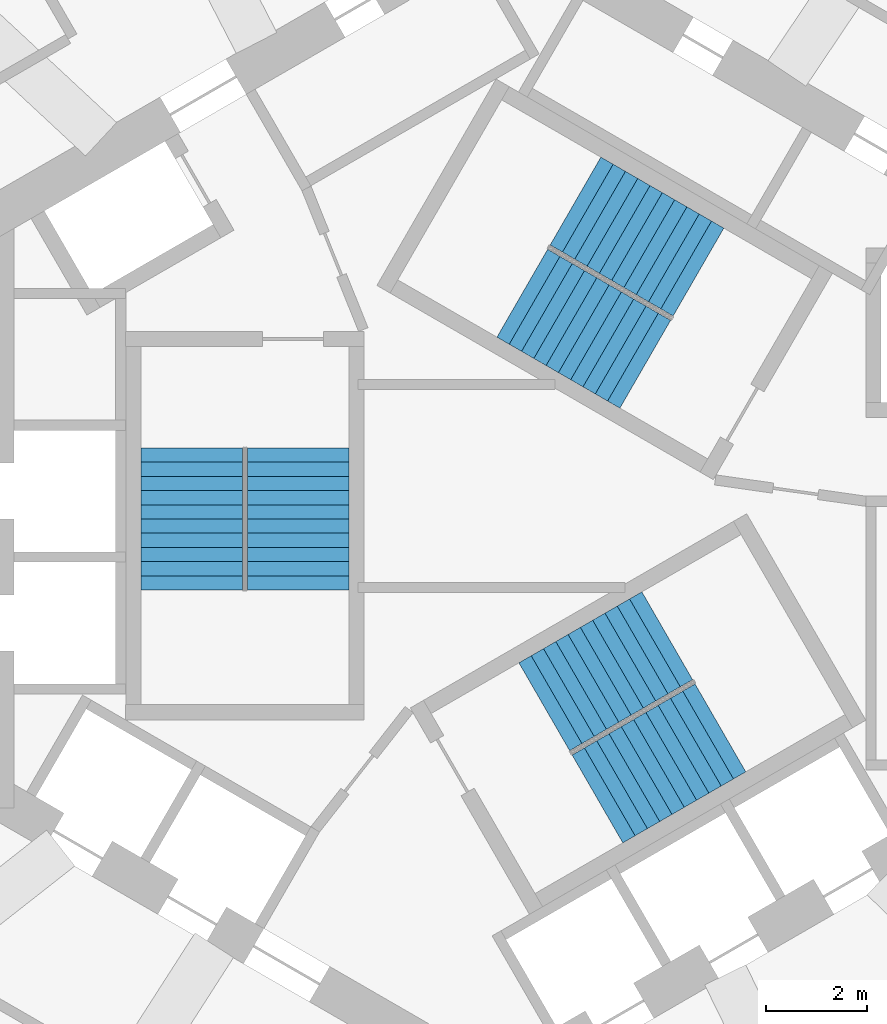
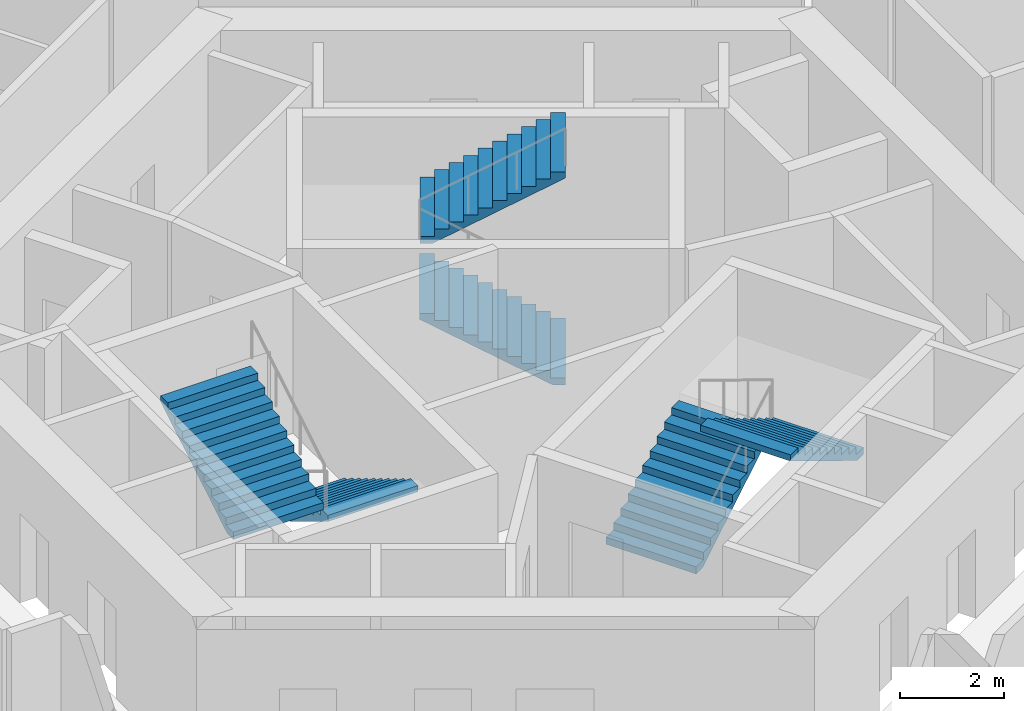
# One storey, part 9 of 11: 6 stair flights, 3 elements without a shape of their own.
"""IFC4 building model written with IfcOpenShell, lengths in metres."""

from ifc_helpers import new_model, si_unit, direction, frame, origin, place, context, subcontext, project, spatial, triangles, source, transform, mapped, material, type_object, element, aggregate, save


model = new_model("IFC4")

# Units and contexts
model_context = context("Model", 3, precision=1e-05, world=origin(), true_north=direction((0.0, 1.0)))
body_context = subcontext(model_context, "Body", "Model", "MODEL_VIEW")
ifc_project = project(units=[si_unit("LENGTHUNIT", "METRE"), si_unit("AREAUNIT", "SQUARE_METRE"), si_unit("VOLUMEUNIT", "CUBIC_METRE"), si_unit("PLANEANGLEUNIT", "RADIAN"), si_unit("MASSUNIT", "GRAM", prefix="KILO")], contexts=[model_context])

# Site, building, storey
site_placement = place(None, origin())
site = spatial("IfcSite", under=ifc_project, at=site_placement, CompositionType="ELEMENT")
building_placement = place(site_placement, origin())
building = spatial("IfcBuilding", under=site, at=building_placement, Name="Vanh Sen Convention Tower", CompositionType="ELEMENT")
storey_placement = place(building_placement, frame((0.0, 0.0, 240.199951171875)))
storey = spatial("IfcBuildingStorey", under=building, at=storey_placement, Name="L59", CompositionType="ELEMENT", Elevation=240.199951171875)

# Stair, stair flights
ifc_material_1 = material(Name="Concrete C50/60", Category="concrete")
stair_type_1 = type_object("IfcStairType", Name="Exit stair ST1 22 risers at 168.2", PredefinedType="HALF_TURN_STAIR", material=ifc_material_1)
stair_1_placement = place(storey_placement, origin())
stair_1 = element("IfcStair", 1, at=stair_1_placement, inside=storey, type_object=stair_type_1, Name="Exit stair ST1 L59", PredefinedType="HALF_TURN_STAIR")
ifc_material_2 = material(Name="Concrete C40/50", Category="concrete")
stair_flight_type = type_object("IfcStairFlightType", Name="Stair flight 2000", PredefinedType="STRAIGHT", material=ifc_material_2)
shared_shape = source(origin(), body_context, "Body", "Tessellation", [
    triangles([(0.24267578125, 1.0, 0.0), (0.0, 1.0, 0.0), (0.0, 1.0, 0.168212890625), (0.280029296875, 1.0, 0.168212890625), (0.280029296875, 1.0, 0.33642578125), (0.56005859375, 1.0, 0.33642578125), (0.56005859375, 1.0, 0.504638671875), (0.840087890625, 1.0, 0.504638671875), (0.840087890625, 1.0, 0.672607421875), (1.1201171875, 1.0, 0.672607421875), (1.1201171875, 1.0, 0.8408203125), (1.39990234375, 1.0, 0.8408203125), (1.39990234375, 1.0, 1.009033203125), (1.679931640625, 1.0, 1.009033203125), (1.679931640625, 1.0, 1.17724609375), (1.9599609375, 1.0, 1.17724609375), (1.9599609375, 1.0, 1.345458984375), (2.239990234375, 1.0, 1.345458984375), (2.239990234375, 1.0, 1.513671875), (2.52001953125, 1.0, 1.513671875), (2.52001953125, 1.0, 1.681884765625), (2.800048828125, 1.0, 1.681884765625), (2.800048828125, 1.0, 1.535888671875), (0.24267578125, -1.0, 0.0), (0.0, -1.0, 0.0), (0.0, -1.0, 0.168212890625), (0.280029296875, -1.0, 0.168212890625), (0.280029296875, -1.0, 0.33642578125), (0.56005859375, -1.0, 0.33642578125), (0.56005859375, -1.0, 0.504638671875), (0.840087890625, -1.0, 0.504638671875), (0.840087890625, -1.0, 0.672607421875), (1.1201171875, -1.0, 0.672607421875), (1.1201171875, -1.0, 0.8408203125), (1.39990234375, -1.0, 0.8408203125), (1.39990234375, -1.0, 1.009033203125), (1.679931640625, -1.0, 1.009033203125), (1.679931640625, -1.0, 1.17724609375), (1.9599609375, -1.0, 1.17724609375), (1.9599609375, -1.0, 1.345458984375), (2.239990234375, -1.0, 1.345458984375), (2.239990234375, -1.0, 1.513671875), (2.52001953125, -1.0, 1.513671875), (2.52001953125, -1.0, 1.681884765625), (2.800048828125, -1.0, 1.681884765625), (2.800048828125, -1.0, 1.535888671875), (0.0, 0.0400390625, 0.0), (0.0, 0.0390625, 0.0), (0.0, 0.0380859375, 0.0), (0.0, 0.037109375, 0.0), (0.0, 0.035888671875, 0.0), (0.0, 0.034912109375, 0.0), (0.0, 0.033935546875, 0.0), (0.0, 0.032958984375, 0.0), (0.0, 0.031982421875, 0.0), (0.0, 0.031005859375, 0.0), (0.0, 0.030029296875, 0.0), (0.0, 0.029052734375, 0.0), (0.0, 0.028076171875, 0.0), (0.0, 0.027099609375, 0.0), (0.0, 0.02587890625, 0.0), (0.0, 0.02490234375, 0.0), (0.0, 0.02392578125, 0.0), (0.0, 0.02294921875, 0.0), (0.0, 0.02197265625, 0.0), (0.0, 0.02099609375, 0.0), (0.0, 0.02001953125, 0.0), (0.0, 0.01904296875, 0.0), (0.0, 0.01806640625, 0.0), (0.0, 0.01708984375, 0.0), (0.0, 0.01611328125, 0.0), (0.0, 0.014892578125, 0.0), (0.0, 0.013916015625, 0.0), (0.0, 0.012939453125, 0.0), (0.0, 0.011962890625, 0.0), (0.0, 0.010986328125, 0.0), (0.0, 0.010009765625, 0.0), (0.0, 0.009033203125, 0.0), (0.0, 0.008056640625, 0.0), (0.0, 0.007080078125, 0.0), (0.0, 0.006103515625, 0.0), (0.0, 0.0048828125, 0.0), (0.0, 0.00390625, 0.0), (0.0, 0.0029296875, 0.0), (0.0, 0.001953125, 0.0), (0.0, 0.0009765625, 0.0), (0.0, 0.0, 0.0), (0.0, -0.0009765625, 0.0), (0.0, -0.001953125, 0.0), (0.0, -0.0029296875, 0.0), (0.0, -0.00390625, 0.0), (0.0, -0.0048828125, 0.0), (0.0, -0.006103515625, 0.0), (0.0, -0.007080078125, 0.0), (0.0, -0.008056640625, 0.0), (0.0, -0.009033203125, 0.0), (0.0, -0.010009765625, 0.0), (0.0, -0.010986328125, 0.0), (0.0, -0.011962890625, 0.0), (0.0, -0.012939453125, 0.0), (0.0, -0.013916015625, 0.0), (0.0, -0.014892578125, 0.0), (0.0, -0.01611328125, 0.0), (0.0, -0.01708984375, 0.0), (0.0, -0.01806640625, 0.0), (0.0, -0.01904296875, 0.0), (0.0, -0.02001953125, 0.0), (0.0, -0.02099609375, 0.0), (0.0, -0.02197265625, 0.0), (0.0, -0.02294921875, 0.0), (0.0, -0.02392578125, 0.0), (0.0, -0.02490234375, 0.0), (0.0, -0.02587890625, 0.0), (0.0, -0.027099609375, 0.0), (0.0, -0.028076171875, 0.0), (0.0, -0.029052734375, 0.0), (0.0, -0.030029296875, 0.0), (0.0, -0.031005859375, 0.0), (0.0, -0.031982421875, 0.0), (0.0, -0.032958984375, 0.0), (0.0, -0.033935546875, 0.0), (0.0, -0.034912109375, 0.0), (0.0, -0.035888671875, 0.0), (0.0, -0.037109375, 0.0), (0.0, -0.0380859375, 0.0), (0.0, -0.0390625, 0.0), (0.0, -0.0400390625, 0.0), (0.0, 0.0400390625, 0.168212890625), (0.0, 0.0390625, 0.168212890625), (0.0, 0.0380859375, 0.168212890625), (0.0, 0.037109375, 0.168212890625), (0.0, 0.035888671875, 0.168212890625), (0.0, 0.034912109375, 0.168212890625), (0.0, 0.033935546875, 0.168212890625), (0.0, 0.032958984375, 0.168212890625), (0.0, 0.031982421875, 0.168212890625), (0.0, 0.031005859375, 0.168212890625), (0.0, 0.030029296875, 0.168212890625), (0.0, 0.029052734375, 0.168212890625), (0.0, 0.028076171875, 0.168212890625), (0.0, 0.027099609375, 0.168212890625), (0.0, 0.02587890625, 0.168212890625), (0.0, 0.02490234375, 0.168212890625), (0.0, 0.02392578125, 0.168212890625), (0.0, 0.02294921875, 0.168212890625), (0.0, 0.02197265625, 0.168212890625), (0.0, 0.02099609375, 0.168212890625), (0.0, 0.02001953125, 0.168212890625), (0.0, 0.01904296875, 0.168212890625), (0.0, 0.01806640625, 0.168212890625), (0.0, 0.01708984375, 0.168212890625), (0.0, 0.01611328125, 0.168212890625), (0.0, 0.014892578125, 0.168212890625), (0.0, 0.013916015625, 0.168212890625), (0.0, 0.012939453125, 0.168212890625), (0.0, 0.011962890625, 0.168212890625), (0.0, 0.010986328125, 0.168212890625), (0.0, 0.010009765625, 0.168212890625), (0.0, 0.009033203125, 0.168212890625), (0.0, 0.008056640625, 0.168212890625), (0.0, 0.007080078125, 0.168212890625), (0.0, 0.006103515625, 0.168212890625), (0.0, 0.0048828125, 0.168212890625), (0.0, 0.00390625, 0.168212890625), (0.0, 0.0029296875, 0.168212890625), (0.0, 0.001953125, 0.168212890625), (0.0, 0.0009765625, 0.168212890625), (0.0, 0.0, 0.168212890625), (0.0, -0.0009765625, 0.168212890625), (0.0, -0.001953125, 0.168212890625), (0.0, -0.0029296875, 0.168212890625), (0.0, -0.00390625, 0.168212890625), (0.0, -0.0048828125, 0.168212890625), (0.0, -0.006103515625, 0.168212890625), (0.0, -0.007080078125, 0.168212890625), (0.0, -0.008056640625, 0.168212890625), (0.0, -0.009033203125, 0.168212890625), (0.0, -0.010009765625, 0.168212890625), (0.0, -0.010986328125, 0.168212890625), (0.0, -0.011962890625, 0.168212890625), (0.0, -0.012939453125, 0.168212890625), (0.0, -0.013916015625, 0.168212890625), (0.0, -0.014892578125, 0.168212890625), (0.0, -0.01611328125, 0.168212890625), (0.0, -0.01708984375, 0.168212890625), (0.0, -0.01806640625, 0.168212890625), (0.0, -0.01904296875, 0.168212890625), (0.0, -0.02001953125, 0.168212890625), (0.0, -0.02099609375, 0.168212890625), (0.0, -0.02197265625, 0.168212890625), (0.0, -0.02294921875, 0.168212890625), (0.0, -0.02392578125, 0.168212890625), (0.0, -0.02490234375, 0.168212890625), (0.0, -0.02587890625, 0.168212890625), (0.0, -0.027099609375, 0.168212890625), (0.0, -0.028076171875, 0.168212890625), (0.0, -0.029052734375, 0.168212890625), (0.0, -0.030029296875, 0.168212890625), (0.0, -0.031005859375, 0.168212890625), (0.0, -0.031982421875, 0.168212890625), (0.0, -0.032958984375, 0.168212890625), (0.0, -0.033935546875, 0.168212890625), (0.0, -0.034912109375, 0.168212890625), (0.0, -0.035888671875, 0.168212890625), (0.0, -0.037109375, 0.168212890625), (0.0, -0.0380859375, 0.168212890625), (0.0, -0.0390625, 0.168212890625), (0.0, -0.0400390625, 0.168212890625), (0.280029296875, 0.0, 0.168212890625), (0.280029296875, 0.0, 0.33642578125), (0.56005859375, 0.0, 0.33642578125), (0.56005859375, 0.0, 0.504638671875), (0.840087890625, 0.0, 0.504638671875), (0.840087890625, 0.0, 0.672607421875), (1.1201171875, 0.0, 0.672607421875), (1.1201171875, 0.0, 0.8408203125), (1.39990234375, 0.0, 0.8408203125), (1.39990234375, 0.0, 1.009033203125), (1.679931640625, 0.0, 1.009033203125), (1.679931640625, 0.0, 1.17724609375), (1.9599609375, 0.0, 1.17724609375), (1.9599609375, 0.0, 1.345458984375), (2.239990234375, 0.0, 1.345458984375), (2.239990234375, 0.0, 1.513671875), (2.52001953125, 0.0, 1.513671875), (2.52001953125, 0.0, 1.681884765625), (2.800048828125, 0.0400390625, 1.681884765625), (2.800048828125, 0.0390625, 1.681884765625), (2.800048828125, 0.0380859375, 1.681884765625), (2.800048828125, 0.037109375, 1.681884765625), (2.800048828125, 0.035888671875, 1.681884765625), (2.800048828125, 0.034912109375, 1.681884765625), (2.800048828125, 0.033935546875, 1.681884765625), (2.800048828125, 0.032958984375, 1.681884765625), (2.800048828125, 0.031982421875, 1.681884765625), (2.800048828125, 0.031005859375, 1.681884765625), (2.800048828125, 0.030029296875, 1.681884765625), (2.800048828125, 0.029052734375, 1.681884765625), (2.800048828125, 0.028076171875, 1.681884765625), (2.800048828125, 0.027099609375, 1.681884765625), (2.800048828125, 0.02587890625, 1.681884765625), (2.800048828125, 0.02490234375, 1.681884765625), (2.800048828125, 0.02392578125, 1.681884765625), (2.800048828125, 0.02294921875, 1.681884765625), (2.800048828125, 0.02197265625, 1.681884765625), (2.800048828125, 0.02099609375, 1.681884765625), (2.800048828125, 0.02001953125, 1.681884765625), (2.800048828125, 0.01904296875, 1.681884765625), (2.800048828125, 0.01806640625, 1.681884765625), (2.800048828125, 0.01708984375, 1.681884765625), (2.800048828125, 0.01611328125, 1.681884765625), (2.800048828125, 0.014892578125, 1.681884765625), (2.800048828125, 0.013916015625, 1.681884765625), (2.800048828125, 0.012939453125, 1.681884765625), (2.800048828125, 0.011962890625, 1.681884765625), (2.800048828125, 0.010986328125, 1.681884765625), (2.800048828125, 0.010009765625, 1.681884765625), (2.800048828125, 0.009033203125, 1.681884765625), (2.800048828125, 0.008056640625, 1.681884765625), (2.800048828125, 0.007080078125, 1.681884765625), (2.800048828125, 0.006103515625, 1.681884765625), (2.800048828125, 0.0048828125, 1.681884765625), (2.800048828125, 0.00390625, 1.681884765625), (2.800048828125, 0.0029296875, 1.681884765625), (2.800048828125, 0.001953125, 1.681884765625), (2.800048828125, 0.0009765625, 1.681884765625), (2.800048828125, 0.0, 1.681884765625), (2.800048828125, -0.0009765625, 1.681884765625), (2.800048828125, -0.001953125, 1.681884765625), (2.800048828125, -0.0029296875, 1.681884765625), (2.800048828125, -0.00390625, 1.681884765625), (2.800048828125, -0.0048828125, 1.681884765625), (2.800048828125, -0.006103515625, 1.681884765625), (2.800048828125, -0.007080078125, 1.681884765625), (2.800048828125, -0.008056640625, 1.681884765625), (2.800048828125, -0.009033203125, 1.681884765625), (2.800048828125, -0.010009765625, 1.681884765625), (2.800048828125, -0.010986328125, 1.681884765625), (2.800048828125, -0.011962890625, 1.681884765625), (2.800048828125, -0.012939453125, 1.681884765625), (2.800048828125, -0.013916015625, 1.681884765625), (2.800048828125, -0.014892578125, 1.681884765625), (2.800048828125, -0.01611328125, 1.681884765625), (2.800048828125, -0.01708984375, 1.681884765625), (2.800048828125, -0.01806640625, 1.681884765625), (2.800048828125, -0.01904296875, 1.681884765625), (2.800048828125, -0.02001953125, 1.681884765625), (2.800048828125, -0.02099609375, 1.681884765625), (2.800048828125, -0.02197265625, 1.681884765625), (2.800048828125, -0.02294921875, 1.681884765625), (2.800048828125, -0.02392578125, 1.681884765625), (2.800048828125, -0.02490234375, 1.681884765625), (2.800048828125, -0.02587890625, 1.681884765625), (2.800048828125, -0.027099609375, 1.681884765625), (2.800048828125, -0.028076171875, 1.681884765625), (2.800048828125, -0.029052734375, 1.681884765625), (2.800048828125, -0.030029296875, 1.681884765625), (2.800048828125, -0.031005859375, 1.681884765625), (2.800048828125, -0.031982421875, 1.681884765625), (2.800048828125, -0.032958984375, 1.681884765625), (2.800048828125, -0.033935546875, 1.681884765625), (2.800048828125, -0.034912109375, 1.681884765625), (2.800048828125, -0.035888671875, 1.681884765625), (2.800048828125, -0.037109375, 1.681884765625), (2.800048828125, -0.0380859375, 1.681884765625), (2.800048828125, -0.0390625, 1.681884765625), (2.800048828125, -0.0400390625, 1.681884765625), (2.800048828125, 0.0400390625, 1.535888671875), (2.800048828125, 0.0390625, 1.535888671875), (2.800048828125, 0.0380859375, 1.535888671875), (2.800048828125, 0.037109375, 1.535888671875), (2.800048828125, 0.035888671875, 1.535888671875), (2.800048828125, 0.034912109375, 1.535888671875), (2.800048828125, 0.033935546875, 1.535888671875), (2.800048828125, 0.032958984375, 1.535888671875), (2.800048828125, 0.031982421875, 1.535888671875), (2.800048828125, 0.031005859375, 1.535888671875), (2.800048828125, 0.030029296875, 1.535888671875), (2.800048828125, 0.029052734375, 1.535888671875), (2.800048828125, 0.028076171875, 1.535888671875), (2.800048828125, 0.027099609375, 1.535888671875), (2.800048828125, 0.02587890625, 1.535888671875), (2.800048828125, 0.02490234375, 1.535888671875), (2.800048828125, 0.02392578125, 1.535888671875), (2.800048828125, 0.02294921875, 1.535888671875), (2.800048828125, 0.02197265625, 1.535888671875), (2.800048828125, 0.02099609375, 1.535888671875), (2.800048828125, 0.02001953125, 1.535888671875), (2.800048828125, 0.01904296875, 1.535888671875), (2.800048828125, 0.01806640625, 1.535888671875), (2.800048828125, 0.01708984375, 1.535888671875), (2.800048828125, 0.01611328125, 1.535888671875), (2.800048828125, 0.014892578125, 1.535888671875), (2.800048828125, 0.013916015625, 1.535888671875), (2.800048828125, 0.012939453125, 1.535888671875), (2.800048828125, 0.011962890625, 1.535888671875), (2.800048828125, 0.010986328125, 1.535888671875), (2.800048828125, 0.010009765625, 1.535888671875), (2.800048828125, 0.009033203125, 1.535888671875), (2.800048828125, 0.008056640625, 1.535888671875), (2.800048828125, 0.007080078125, 1.535888671875), (2.800048828125, 0.006103515625, 1.535888671875), (2.800048828125, 0.0048828125, 1.535888671875), (2.800048828125, 0.00390625, 1.535888671875), (2.800048828125, 0.0029296875, 1.535888671875), (2.800048828125, 0.001953125, 1.535888671875), (2.800048828125, 0.0009765625, 1.535888671875), (2.800048828125, 0.0, 1.535888671875), (2.800048828125, -0.0009765625, 1.535888671875), (2.800048828125, -0.001953125, 1.535888671875), (2.800048828125, -0.0029296875, 1.535888671875), (2.800048828125, -0.00390625, 1.535888671875), (2.800048828125, -0.0048828125, 1.535888671875), (2.800048828125, -0.006103515625, 1.535888671875), (2.800048828125, -0.007080078125, 1.535888671875), (2.800048828125, -0.008056640625, 1.535888671875), (2.800048828125, -0.009033203125, 1.535888671875), (2.800048828125, -0.010009765625, 1.535888671875), (2.800048828125, -0.010986328125, 1.535888671875), (2.800048828125, -0.011962890625, 1.535888671875), (2.800048828125, -0.012939453125, 1.535888671875), (2.800048828125, -0.013916015625, 1.535888671875), (2.800048828125, -0.014892578125, 1.535888671875), (2.800048828125, -0.01611328125, 1.535888671875), (2.800048828125, -0.01708984375, 1.535888671875), (2.800048828125, -0.01806640625, 1.535888671875), (2.800048828125, -0.01904296875, 1.535888671875), (2.800048828125, -0.02001953125, 1.535888671875), (2.800048828125, -0.02099609375, 1.535888671875), (2.800048828125, -0.02197265625, 1.535888671875), (2.800048828125, -0.02294921875, 1.535888671875), (2.800048828125, -0.02392578125, 1.535888671875), (2.800048828125, -0.02490234375, 1.535888671875), (2.800048828125, -0.02587890625, 1.535888671875), (2.800048828125, -0.027099609375, 1.535888671875), (2.800048828125, -0.028076171875, 1.535888671875), (2.800048828125, -0.029052734375, 1.535888671875), (2.800048828125, -0.030029296875, 1.535888671875), (2.800048828125, -0.031005859375, 1.535888671875), (2.800048828125, -0.031982421875, 1.535888671875), (2.800048828125, -0.032958984375, 1.535888671875), (2.800048828125, -0.033935546875, 1.535888671875), (2.800048828125, -0.034912109375, 1.535888671875), (2.800048828125, -0.035888671875, 1.535888671875), (2.800048828125, -0.037109375, 1.535888671875), (2.800048828125, -0.0380859375, 1.535888671875), (2.800048828125, -0.0390625, 1.535888671875), (2.800048828125, -0.0400390625, 1.535888671875), (0.24267578125, 0.0, 0.0)], [[1, 2, 3], [1, 3, 4], [4, 5, 6], [1, 4, 6], [6, 7, 8], [1, 6, 8], [8, 9, 10], [1, 8, 10], [10, 11, 12], [1, 10, 12], [12, 13, 14], [1, 12, 14], [14, 15, 16], [1, 14, 16], [16, 17, 18], [1, 16, 18], [18, 19, 20], [1, 18, 20], [20, 21, 22], [1, 20, 22], [22, 23, 1], [24, 26, 25], [24, 27, 26], [27, 29, 28], [24, 29, 27], [29, 31, 30], [24, 31, 29], [31, 33, 32], [24, 33, 31], [33, 35, 34], [24, 35, 33], [35, 37, 36], [24, 37, 35], [37, 39, 38], [24, 39, 37], [39, 41, 40], [24, 41, 39], [41, 43, 42], [24, 43, 41], [43, 45, 44], [24, 45, 43], [45, 24, 46], [2, 128, 3], [2, 47, 128], [47, 129, 128], [47, 48, 129], [48, 130, 129], [48, 49, 130], [49, 131, 130], [49, 50, 131], [50, 132, 131], [50, 51, 132], [51, 133, 132], [51, 52, 133], [52, 134, 133], [52, 53, 134], [53, 135, 134], [53, 54, 135], [54, 136, 135], [54, 55, 136], [55, 137, 136], [55, 56, 137], [56, 138, 137], [56, 57, 138], [57, 139, 138], [57, 58, 139], [58, 140, 139], [58, 59, 140], [59, 141, 140], [59, 60, 141], [60, 142, 141], [60, 61, 142], [61, 143, 142], [61, 62, 143], [62, 144, 143], [62, 63, 144], [63, 145, 144], [63, 64, 145], [64, 146, 145], [64, 65, 146], [65, 147, 146], [65, 66, 147], [66, 148, 147], [66, 67, 148], [67, 149, 148], [67, 68, 149], [68, 150, 149], [68, 69, 150], [69, 151, 150], [69, 70, 151], [70, 152, 151], [70, 71, 152], [71, 153, 152], [71, 72, 153], [72, 154, 153], [72, 73, 154], [73, 155, 154], [73, 74, 155], [74, 156, 155], [74, 75, 156], [75, 157, 156], [75, 76, 157], [76, 158, 157], [76, 77, 158], [77, 159, 158], [77, 78, 159], [78, 160, 159], [78, 79, 160], [79, 161, 160], [79, 80, 161], [80, 162, 161], [80, 81, 162], [81, 163, 162], [81, 82, 163], [82, 164, 163], [82, 83, 164], [83, 165, 164], [83, 84, 165], [84, 166, 165], [84, 85, 166], [85, 167, 166], [85, 86, 167], [86, 168, 167], [86, 87, 168], [87, 88, 168], [168, 88, 169], [88, 89, 169], [169, 89, 170], [89, 90, 170], [170, 90, 171], [90, 91, 171], [171, 91, 172], [91, 92, 172], [172, 92, 173], [92, 93, 173], [173, 93, 174], [93, 94, 174], [174, 94, 175], [94, 95, 175], [175, 95, 176], [95, 96, 176], [176, 96, 177], [96, 97, 177], [177, 97, 178], [97, 98, 178], [178, 98, 179], [98, 99, 179], [179, 99, 180], [99, 100, 180], [180, 100, 181], [100, 101, 181], [181, 101, 182], [101, 102, 182], [182, 102, 183], [102, 103, 183], [183, 103, 184], [103, 104, 184], [184, 104, 185], [104, 105, 185], [185, 105, 186], [105, 106, 186], [186, 106, 187], [106, 107, 187], [187, 107, 188], [107, 108, 188], [188, 108, 189], [108, 109, 189], [189, 109, 190], [109, 110, 190], [190, 110, 191], [110, 111, 191], [191, 111, 192], [111, 112, 192], [192, 112, 193], [112, 113, 193], [193, 113, 194], [113, 114, 194], [194, 114, 195], [114, 115, 195], [195, 115, 196], [115, 116, 196], [196, 116, 197], [116, 117, 197], [197, 117, 198], [117, 118, 198], [198, 118, 199], [118, 119, 199], [199, 119, 200], [119, 120, 200], [200, 120, 201], [120, 121, 201], [201, 121, 202], [121, 122, 202], [202, 122, 203], [122, 123, 203], [203, 123, 204], [123, 124, 204], [204, 124, 205], [124, 125, 205], [205, 125, 206], [125, 126, 206], [206, 126, 207], [126, 127, 207], [207, 127, 208], [127, 25, 208], [208, 25, 26], [4, 3, 128], [4, 128, 129], [4, 129, 130], [4, 130, 131], [4, 131, 132], [4, 132, 133], [4, 133, 134], [4, 134, 135], [4, 135, 136], [4, 136, 137], [4, 137, 138], [4, 138, 139], [4, 139, 140], [4, 140, 141], [4, 141, 142], [4, 142, 143], [4, 143, 144], [4, 144, 145], [4, 145, 146], [4, 146, 147], [4, 147, 148], [4, 148, 149], [4, 149, 150], [4, 150, 151], [4, 151, 152], [4, 152, 153], [4, 153, 154], [4, 154, 155], [4, 155, 156], [4, 156, 157], [4, 157, 158], [4, 158, 159], [4, 159, 160], [4, 160, 161], [4, 161, 162], [4, 162, 163], [4, 163, 164], [4, 164, 165], [4, 165, 166], [4, 166, 167], [4, 167, 168], [27, 168, 169], [27, 169, 170], [27, 170, 171], [27, 171, 172], [27, 172, 173], [27, 173, 174], [27, 174, 175], [27, 175, 176], [27, 176, 177], [27, 177, 178], [27, 178, 179], [27, 179, 180], [27, 180, 181], [27, 181, 182], [27, 182, 183], [27, 183, 184], [27, 184, 185], [27, 185, 186], [27, 186, 187], [27, 187, 188], [27, 188, 189], [27, 189, 190], [27, 190, 191], [27, 191, 192], [27, 192, 193], [27, 193, 194], [27, 194, 195], [27, 195, 196], [27, 196, 197], [27, 197, 198], [27, 198, 199], [27, 199, 200], [27, 200, 201], [27, 201, 202], [27, 202, 203], [27, 203, 204], [27, 204, 205], [27, 205, 206], [27, 206, 207], [27, 207, 208], [27, 208, 26], [4, 168, 209], [27, 209, 168], [4, 210, 5], [4, 209, 210], [209, 27, 210], [210, 27, 28], [5, 211, 6], [5, 210, 211], [210, 28, 211], [211, 28, 29], [6, 212, 7], [6, 211, 212], [211, 29, 212], [212, 29, 30], [7, 213, 8], [7, 212, 213], [212, 30, 213], [213, 30, 31], [8, 214, 9], [8, 213, 214], [213, 31, 214], [214, 31, 32], [9, 215, 10], [9, 214, 215], [214, 32, 215], [215, 32, 33], [10, 216, 11], [10, 215, 216], [215, 33, 216], [216, 33, 34], [11, 217, 12], [11, 216, 217], [216, 34, 217], [217, 34, 35], [12, 218, 13], [12, 217, 218], [217, 35, 218], [218, 35, 36], [13, 219, 14], [13, 218, 219], [218, 36, 219], [219, 36, 37], [14, 220, 15], [14, 219, 220], [219, 37, 220], [220, 37, 38], [15, 221, 16], [15, 220, 221], [220, 38, 221], [221, 38, 39], [16, 222, 17], [16, 221, 222], [221, 39, 222], [222, 39, 40], [17, 223, 18], [17, 222, 223], [222, 40, 223], [223, 40, 41], [18, 224, 19], [18, 223, 224], [223, 41, 224], [224, 41, 42], [19, 225, 20], [19, 224, 225], [224, 42, 225], [225, 42, 43], [20, 226, 21], [20, 225, 226], [225, 43, 226], [226, 43, 44], [21, 227, 22], [21, 228, 227], [21, 229, 228], [21, 230, 229], [21, 231, 230], [21, 232, 231], [21, 233, 232], [21, 234, 233], [21, 235, 234], [21, 236, 235], [21, 237, 236], [21, 238, 237], [21, 239, 238], [21, 240, 239], [21, 241, 240], [21, 242, 241], [21, 243, 242], [21, 244, 243], [21, 245, 244], [21, 246, 245], [21, 247, 246], [21, 248, 247], [21, 249, 248], [21, 250, 249], [21, 251, 250], [21, 252, 251], [21, 253, 252], [21, 254, 253], [21, 255, 254], [21, 256, 255], [21, 257, 256], [21, 258, 257], [21, 259, 258], [21, 260, 259], [21, 261, 260], [21, 262, 261], [21, 263, 262], [21, 264, 263], [21, 265, 264], [21, 266, 265], [21, 267, 266], [44, 268, 267], [44, 269, 268], [44, 270, 269], [44, 271, 270], [44, 272, 271], [44, 273, 272], [44, 274, 273], [44, 275, 274], [44, 276, 275], [44, 277, 276], [44, 278, 277], [44, 279, 278], [44, 280, 279], [44, 281, 280], [44, 282, 281], [44, 283, 282], [44, 284, 283], [44, 285, 284], [44, 286, 285], [44, 287, 286], [44, 288, 287], [44, 289, 288], [44, 290, 289], [44, 291, 290], [44, 292, 291], [44, 293, 292], [44, 294, 293], [44, 295, 294], [44, 296, 295], [44, 297, 296], [44, 298, 297], [44, 299, 298], [44, 300, 299], [44, 301, 300], [44, 302, 301], [44, 303, 302], [44, 304, 303], [44, 305, 304], [44, 306, 305], [44, 307, 306], [44, 45, 307], [21, 226, 267], [44, 267, 226], [22, 308, 23], [22, 227, 308], [227, 309, 308], [227, 228, 309], [228, 310, 309], [228, 229, 310], [229, 311, 310], [229, 230, 311], [230, 312, 311], [230, 231, 312], [231, 313, 312], [231, 232, 313], [232, 314, 313], [232, 233, 314], [233, 315, 314], [233, 234, 315], [234, 316, 315], [234, 235, 316], [235, 317, 316], [235, 236, 317], [236, 318, 317], [236, 237, 318], [237, 319, 318], [237, 238, 319], [238, 320, 319], [238, 239, 320], [239, 321, 320], [239, 240, 321], [240, 322, 321], [240, 241, 322], [241, 323, 322], [241, 242, 323], [242, 324, 323], [242, 243, 324], [243, 325, 324], [243, 244, 325], [244, 326, 325], [244, 245, 326], [245, 327, 326], [245, 246, 327], [246, 328, 327], [246, 247, 328], [247, 329, 328], [247, 248, 329], [248, 330, 329], [248, 249, 330], [249, 331, 330], [249, 250, 331], [250, 332, 331], [250, 251, 332], [251, 333, 332], [251, 252, 333], [252, 334, 333], [252, 253, 334], [253, 335, 334], [253, 254, 335], [254, 336, 335], [254, 255, 336], [255, 337, 336], [255, 256, 337], [256, 338, 337], [256, 257, 338], [257, 339, 338], [257, 258, 339], [258, 340, 339], [258, 259, 340], [259, 341, 340], [259, 260, 341], [260, 342, 341], [260, 261, 342], [261, 343, 342], [261, 262, 343], [262, 344, 343], [262, 263, 344], [263, 345, 344], [263, 264, 345], [264, 346, 345], [264, 265, 346], [265, 347, 346], [265, 266, 347], [266, 348, 347], [266, 267, 348], [267, 268, 348], [348, 268, 349], [268, 269, 349], [349, 269, 350], [269, 270, 350], [350, 270, 351], [270, 271, 351], [351, 271, 352], [271, 272, 352], [352, 272, 353], [272, 273, 353], [353, 273, 354], [273, 274, 354], [354, 274, 355], [274, 275, 355], [355, 275, 356], [275, 276, 356], [356, 276, 357], [276, 277, 357], [357, 277, 358], [277, 278, 358], [358, 278, 359], [278, 279, 359], [359, 279, 360], [279, 280, 360], [360, 280, 361], [280, 281, 361], [361, 281, 362], [281, 282, 362], [362, 282, 363], [282, 283, 363], [363, 283, 364], [283, 284, 364], [364, 284, 365], [284, 285, 365], [365, 285, 366], [285, 286, 366], [366, 286, 367], [286, 287, 367], [367, 287, 368], [287, 288, 368], [368, 288, 369], [288, 289, 369], [369, 289, 370], [289, 290, 370], [370, 290, 371], [290, 291, 371], [371, 291, 372], [291, 292, 372], [372, 292, 373], [292, 293, 373], [373, 293, 374], [293, 294, 374], [374, 294, 375], [294, 295, 375], [375, 295, 376], [295, 296, 376], [376, 296, 377], [296, 297, 377], [377, 297, 378], [297, 298, 378], [378, 298, 379], [298, 299, 379], [379, 299, 380], [299, 300, 380], [380, 300, 381], [300, 301, 381], [381, 301, 382], [301, 302, 382], [382, 302, 383], [302, 303, 383], [383, 303, 384], [303, 304, 384], [384, 304, 385], [304, 305, 385], [385, 305, 386], [305, 306, 386], [386, 306, 387], [306, 307, 387], [387, 307, 388], [307, 45, 388], [388, 45, 46], [1, 23, 308], [1, 308, 309], [1, 309, 310], [1, 310, 311], [1, 311, 312], [1, 312, 313], [1, 313, 314], [1, 314, 315], [1, 315, 316], [1, 316, 317], [1, 317, 318], [1, 318, 319], [1, 319, 320], [1, 320, 321], [1, 321, 322], [1, 322, 323], [1, 323, 324], [1, 324, 325], [1, 325, 326], [1, 326, 327], [1, 327, 328], [1, 328, 329], [1, 329, 330], [1, 330, 331], [1, 331, 332], [1, 332, 333], [1, 333, 334], [1, 334, 335], [1, 335, 336], [1, 336, 337], [1, 337, 338], [1, 338, 339], [1, 339, 340], [1, 340, 341], [1, 341, 342], [1, 342, 343], [1, 343, 344], [1, 344, 345], [1, 345, 346], [1, 346, 347], [1, 347, 348], [24, 348, 349], [24, 349, 350], [24, 350, 351], [24, 351, 352], [24, 352, 353], [24, 353, 354], [24, 354, 355], [24, 355, 356], [24, 356, 357], [24, 357, 358], [24, 358, 359], [24, 359, 360], [24, 360, 361], [24, 361, 362], [24, 362, 363], [24, 363, 364], [24, 364, 365], [24, 365, 366], [24, 366, 367], [24, 367, 368], [24, 368, 369], [24, 369, 370], [24, 370, 371], [24, 371, 372], [24, 372, 373], [24, 373, 374], [24, 374, 375], [24, 375, 376], [24, 376, 377], [24, 377, 378], [24, 378, 379], [24, 379, 380], [24, 380, 381], [24, 381, 382], [24, 382, 383], [24, 383, 384], [24, 384, 385], [24, 385, 386], [24, 386, 387], [24, 387, 388], [24, 388, 46], [1, 348, 389], [24, 389, 348], [1, 47, 2], [1, 48, 47], [1, 49, 48], [1, 50, 49], [1, 51, 50], [1, 52, 51], [1, 53, 52], [1, 54, 53], [1, 55, 54], [1, 56, 55], [1, 57, 56], [1, 58, 57], [1, 59, 58], [1, 60, 59], [1, 61, 60], [1, 62, 61], [1, 63, 62], [1, 64, 63], [1, 65, 64], [1, 66, 65], [1, 67, 66], [1, 68, 67], [1, 69, 68], [1, 70, 69], [1, 71, 70], [1, 72, 71], [1, 73, 72], [1, 74, 73], [1, 75, 74], [1, 76, 75], [1, 77, 76], [1, 78, 77], [1, 79, 78], [1, 80, 79], [1, 81, 80], [1, 82, 81], [1, 83, 82], [1, 84, 83], [1, 85, 84], [1, 86, 85], [1, 87, 86], [24, 88, 87], [24, 89, 88], [24, 90, 89], [24, 91, 90], [24, 92, 91], [24, 93, 92], [24, 94, 93], [24, 95, 94], [24, 96, 95], [24, 97, 96], [24, 98, 97], [24, 99, 98], [24, 100, 99], [24, 101, 100], [24, 102, 101], [24, 103, 102], [24, 104, 103], [24, 105, 104], [24, 106, 105], [24, 107, 106], [24, 108, 107], [24, 109, 108], [24, 110, 109], [24, 111, 110], [24, 112, 111], [24, 113, 112], [24, 114, 113], [24, 115, 114], [24, 116, 115], [24, 117, 116], [24, 118, 117], [24, 119, 118], [24, 120, 119], [24, 121, 120], [24, 122, 121], [24, 123, 122], [24, 124, 123], [24, 125, 124], [24, 126, 125], [24, 127, 126], [24, 25, 127], [1, 389, 87], [24, 87, 389]], closed=True),
])
stair_flight_1_placement = place(storey_placement, frame((2.94580078125, 2.802490234375, 0.0), z_axis=(0.0, 0.0, 1.0), x_axis=(-0.866025403784, 0.5, 0.0)))
stair_flight_1 = element("IfcStairFlight", 2, at=stair_flight_1_placement, type_object=stair_flight_type, Name="ST1 flight 1", NumberOfRisers=11, NumberOfTreads=10, PredefinedType="STRAIGHT", RiserHeight=0.168181818, TreadLength=0.28, context=body_context, shape_type="MappedRepresentation", body=[
    mapped(shared_shape, transform((0.0, 0.0, 0.0))),
])
stair_flight_2_placement = place(storey_placement, frame((1.571044921875, 6.021240234375, 1.85009765625), z_axis=(0.0, 0.0, 1.0), x_axis=(0.866025403784, -0.5, 0.0)))
stair_flight_2 = element("IfcStairFlight", 3, at=stair_flight_2_placement, type_object=stair_flight_type, Name="ST1 flight 2", NumberOfRisers=11, NumberOfTreads=10, PredefinedType="STRAIGHT", RiserHeight=0.168181818, TreadLength=0.28, context=body_context, shape_type="MappedRepresentation", body=[
    mapped(shared_shape, transform((0.0, 0.0, 0.0))),
])
aggregate(stair_1, [stair_flight_1, stair_flight_2])

stair_type_2 = type_object("IfcStairType", Name="Exit stair ST2 22 risers at 168.2", PredefinedType="HALF_TURN_STAIR", material=ifc_material_1)
stair_2_placement = place(storey_placement, origin())
stair_2 = element("IfcStair", 4, at=stair_2_placement, inside=storey, type_object=stair_type_2, Name="Exit stair ST2 L59", PredefinedType="HALF_TURN_STAIR")
stair_flight_3_placement = place(storey_placement, frame((-3.89990234375, 1.14990234375, 0.0), z_axis=(0.0, 0.0, 1.0), x_axis=(0.0, -1.0, 0.0)))
stair_flight_3 = element("IfcStairFlight", 5, at=stair_flight_3_placement, type_object=stair_flight_type, Name="ST2 flight 1", NumberOfRisers=11, NumberOfTreads=10, PredefinedType="STRAIGHT", RiserHeight=0.168181818, TreadLength=0.28, context=body_context, shape_type="MappedRepresentation", body=[
    mapped(shared_shape, transform((0.0, 0.0, 0.0))),
])
stair_flight_4_placement = place(storey_placement, frame((-6.0, -1.64990234375, 1.85009765625), z_axis=(0.0, 0.0, 1.0), x_axis=(0.0, 1.0, 0.0)))
stair_flight_4 = element("IfcStairFlight", 6, at=stair_flight_4_placement, type_object=stair_flight_type, Name="ST2 flight 2", NumberOfRisers=11, NumberOfTreads=10, PredefinedType="STRAIGHT", RiserHeight=0.168181818, TreadLength=0.28, context=body_context, shape_type="MappedRepresentation", body=[
    mapped(shared_shape, transform((0.0, 0.0, 0.0))),
])
aggregate(stair_2, [stair_flight_3, stair_flight_4])

stair_type_3 = type_object("IfcStairType", Name="Exit stair ST3 22 risers at 168.2", PredefinedType="HALF_TURN_STAIR", material=ifc_material_1)
stair_3_placement = place(storey_placement, origin())
stair_3 = element("IfcStair", 7, at=stair_3_placement, inside=storey, type_object=stair_type_3, Name="Exit stair ST3 L59", PredefinedType="HALF_TURN_STAIR")
stair_flight_5_placement = place(storey_placement, frame((0.9541015625, -3.952392578125, 0.0), z_axis=(0.0, 0.0, 1.0), x_axis=(0.866025403784, 0.5, 0.0)))
stair_flight_5 = element("IfcStairFlight", 8, at=stair_flight_5_placement, type_object=stair_flight_type, Name="ST3 flight 1", NumberOfRisers=11, NumberOfTreads=10, PredefinedType="STRAIGHT", RiserHeight=0.168181818, TreadLength=0.28, context=body_context, shape_type="MappedRepresentation", body=[
    mapped(shared_shape, transform((0.0, 0.0, 0.0))),
])
stair_flight_6_placement = place(storey_placement, frame((4.428955078125, -4.37109375, 1.85009765625), z_axis=(0.0, 0.0, 1.0), x_axis=(-0.866025403784, -0.5, 0.0)))
stair_flight_6 = element("IfcStairFlight", 9, at=stair_flight_6_placement, type_object=stair_flight_type, Name="ST3 flight 2", NumberOfRisers=11, NumberOfTreads=10, PredefinedType="STRAIGHT", RiserHeight=0.168181818, TreadLength=0.28, context=body_context, shape_type="MappedRepresentation", body=[
    mapped(shared_shape, transform((0.0, 0.0, 0.0))),
])
aggregate(stair_3, [stair_flight_5, stair_flight_6])

save(model, "model.ifc")
